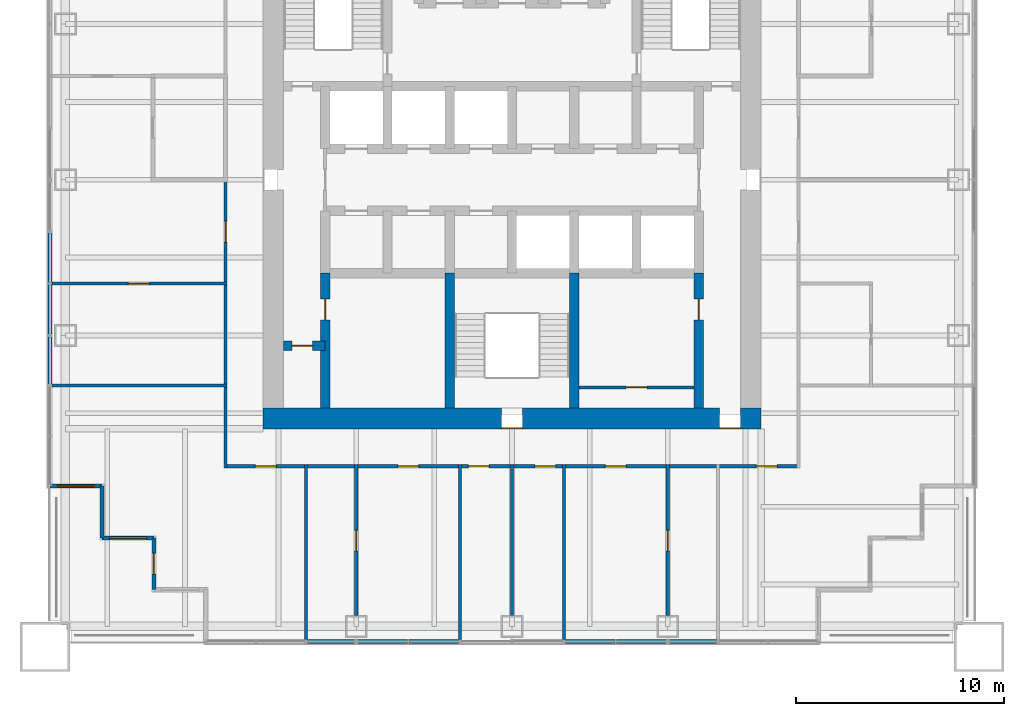
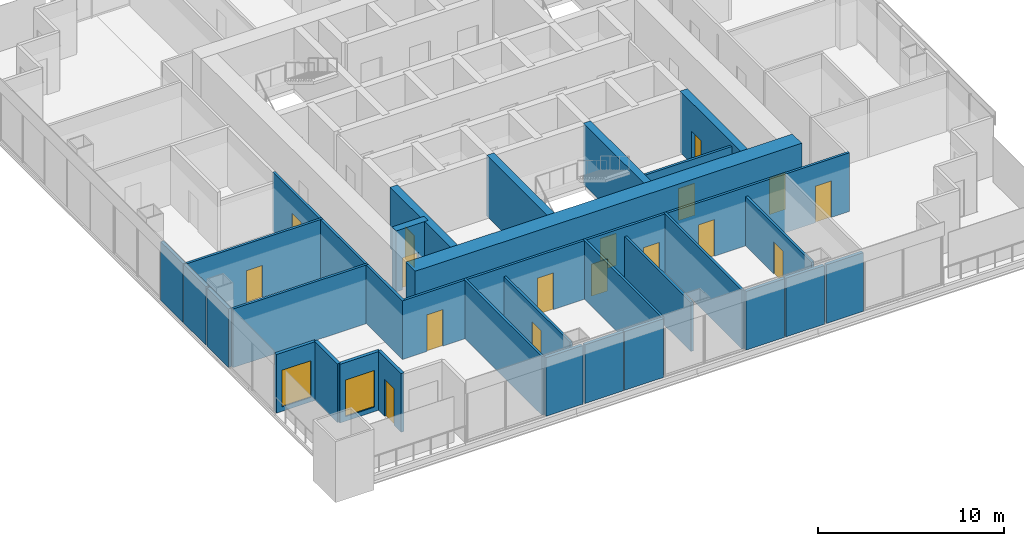
# One storey, part 8 of 13: 30 walls, 17 doors, 2 windows, 19 openings.
"""IFC4 building model written with IfcOpenShell, lengths in metres."""

from ifc_helpers import new_model, si_unit, direction, frame, frame_2d, origin, place, context, subcontext, project, spatial, rectangle, extrude, material, layer, layer_set, type_object, element, fill, save


model = new_model("IFC4")

# Units and contexts
model_context = context("Model", 3, precision=1e-05, world=origin(), true_north=direction((0.0, 1.0)))
body_context = subcontext(model_context, "Body", "Model", "MODEL_VIEW")
ifc_project = project(units=[si_unit("LENGTHUNIT", "METRE"), si_unit("AREAUNIT", "SQUARE_METRE"), si_unit("VOLUMEUNIT", "CUBIC_METRE"), si_unit("PLANEANGLEUNIT", "RADIAN"), si_unit("MASSUNIT", "GRAM", prefix="KILO")], contexts=[model_context])

# Site, building, storey
site_placement = place(None, origin())
site = spatial("IfcSite", under=ifc_project, at=site_placement, CompositionType="ELEMENT")
building_placement = place(site_placement, origin())
building = spatial("IfcBuilding", under=site, at=building_placement, Name="Tarangal Relay Tower", CompositionType="ELEMENT")
storey_placement = place(building_placement, frame((0.0, 0.0, 189.89990234375)))
storey = spatial("IfcBuildingStorey", under=building, at=storey_placement, Name="L39", CompositionType="ELEMENT", Elevation=189.89990234375)

# Wall, opening, door
ifc_material_1 = material(Name="Concrete fc' 60 MPa", Category="concrete")
ifc_layer_1 = layer(ifc_material_1, 0.449951171875)
ifc_layer_set_1 = layer_set([ifc_layer_1], Name="Core inner wall 450")
wall_type_1 = type_object("IfcWallType", Name="Core inner wall 450", PredefinedType="SHEAR", material=ifc_layer_set_1)
wall_1_placement = place(storey_placement, frame((-11.0, -8.0, 0.0), z_axis=(0.0, 0.0, 1.0), x_axis=(1.0, 0.0, 0.0)))
wall_1 = element("IfcWall", 1, at=wall_1_placement, inside=storey, type_object=wall_type_1, Name="Core wall YM8 L39", PredefinedType="SHEAR", context=body_context, shape_type="SweptSolid", body=[
    extrude(rectangle(XDim=2.0, YDim=0.449951171875, at=frame_2d((1.0, 0.0))), origin(), (0.0, 0.0, 1.0), 4.0),
])
opening_1_placement = place(wall_1_placement, frame((0.39990234375, 0.0, 0.0)))
opening_1 = element("IfcOpeningElement", 2, at=opening_1_placement, cuts=wall_1, Name="Opening D1", PredefinedType="OPENING", context=body_context, shape_type="SweptSolid", body=[
    extrude(rectangle(XDim=1.0, YDim=2.10009765625, at=frame_2d((0.5, 1.050048828125))), frame((0.0, 0.23486328125, 0.0), z_axis=(0.0, -1.0, 0.0), x_axis=(1.0, 0.0, 0.0)), (0.0, 0.0, 1.0), 0.469970703125),
])
ifc_material_2 = material(Name="Hardwood door", Category="wood")
door_type_1 = type_object("IfcDoorType", Name="WC door 1000 x 2100", OperationType="SINGLE_SWING_LEFT", PredefinedType="DOOR", material=ifc_material_2)
door_1_placement = place(opening_1_placement, origin())
door_1 = element("IfcDoor", 3, at=door_1_placement, inside=storey, type_object=door_type_1, Name="Accessible WC door L39", OperationType="SINGLE_SWING_LEFT", OverallHeight=2.10009765625, OverallWidth=1.0, PredefinedType="DOOR", context=body_context, shape_type="SweptSolid", body=[
    extrude(rectangle(XDim=1.0, YDim=2.10009765625, at=frame_2d((0.5, 1.050048828125))), frame((0.0, 0.02490234375, 0.0), z_axis=(0.0, -1.0, 0.0), x_axis=(1.0, 0.0, 0.0)), (0.0, 0.0, 1.0), 0.050048828125),
])
fill(opening_1, door_1)

wall_2_placement = place(storey_placement, frame((-9.0, -11.0, 0.0), z_axis=(0.0, 0.0, 1.0), x_axis=(0.0, 1.0, 0.0)))
wall_2 = element("IfcWall", 4, at=wall_2_placement, inside=storey, type_object=wall_type_1, Name="Core wall XM9W L39", PredefinedType="SHEAR", context=body_context, shape_type="SweptSolid", body=[
    extrude(rectangle(XDim=6.5, YDim=0.449951171875, at=frame_2d((3.25, 0.0))), origin(), (0.0, 0.0, 1.0), 4.0),
])
opening_2_placement = place(wall_2_placement, frame((4.25, 0.0, 0.0)))
opening_2 = element("IfcOpeningElement", 5, at=opening_2_placement, cuts=wall_2, Name="Opening D1", PredefinedType="OPENING", context=body_context, shape_type="SweptSolid", body=[
    extrude(rectangle(XDim=1.0, YDim=2.10009765625, at=frame_2d((0.5, 1.050048828125))), frame((0.0, 0.23486328125, 0.0), z_axis=(0.0, -1.0, 0.0), x_axis=(1.0, 0.0, 0.0)), (0.0, 0.0, 1.0), 0.469970703125),
])
door_2_placement = place(opening_2_placement, origin())
door_2 = element("IfcDoor", 6, at=door_2_placement, inside=storey, type_object=door_type_1, Name="Male WC door L39", OperationType="SINGLE_SWING_LEFT", OverallHeight=2.10009765625, OverallWidth=1.0, PredefinedType="DOOR", context=body_context, shape_type="SweptSolid", body=[
    extrude(rectangle(XDim=1.0, YDim=2.10009765625, at=frame_2d((0.5, 1.050048828125))), frame((0.0, 0.02490234375, 0.0), z_axis=(0.0, -1.0, 0.0), x_axis=(1.0, 0.0, 0.0)), (0.0, 0.0, 1.0), 0.050048828125),
])
fill(opening_2, door_2)

wall_3_placement = place(storey_placement, frame((9.0, -11.0, 0.0), z_axis=(0.0, 0.0, 1.0), x_axis=(0.0, 1.0, 0.0)))
wall_3 = element("IfcWall", 7, at=wall_3_placement, inside=storey, type_object=wall_type_1, Name="Core wall X9W L39", PredefinedType="SHEAR", context=body_context, shape_type="SweptSolid", body=[
    extrude(rectangle(XDim=6.5, YDim=0.449951171875, at=frame_2d((3.25, 0.0))), origin(), (0.0, 0.0, 1.0), 4.0),
])
opening_3_placement = place(wall_3_placement, frame((4.25, 0.0, 0.0)))
opening_3 = element("IfcOpeningElement", 8, at=opening_3_placement, cuts=wall_3, Name="Opening D1", PredefinedType="OPENING", context=body_context, shape_type="SweptSolid", body=[
    extrude(rectangle(XDim=1.0, YDim=2.10009765625, at=frame_2d((0.5, 1.050048828125))), frame((0.0, 0.23486328125, 0.0), z_axis=(0.0, -1.0, 0.0), x_axis=(1.0, 0.0, 0.0)), (0.0, 0.0, 1.0), 0.469970703125),
])
door_3_placement = place(opening_3_placement, origin())
door_3 = element("IfcDoor", 9, at=door_3_placement, inside=storey, type_object=door_type_1, Name="Female WC door L39", OperationType="SINGLE_SWING_LEFT", OverallHeight=2.10009765625, OverallWidth=1.0, PredefinedType="DOOR", context=body_context, shape_type="SweptSolid", body=[
    extrude(rectangle(XDim=1.0, YDim=2.10009765625, at=frame_2d((0.5, 1.050048828125))), frame((0.0, 0.02490234375, 0.0), z_axis=(0.0, -1.0, 0.0), x_axis=(1.0, 0.0, 0.0)), (0.0, 0.0, 1.0), 0.050048828125),
])
fill(opening_3, door_3)

# Walls
for number, where, z_axis, x_axis, name in (
    (10, (-3.0, -11.0, 0.0), (0.0, 0.0, 1.0), (0.0, 1.0, 0.0), "Core wall XM3W L39"),
    (11, (3.0, -11.0, 0.0), (0.0, 0.0, 1.0), (0.0, 1.0, 0.0), "Core wall X3W L39"),
):
    element("IfcWall", number, at=place(storey_placement, frame(where, z_axis=z_axis, x_axis=x_axis)), inside=storey, type_object=wall_type_1, Name=name, PredefinedType="SHEAR", context=body_context, shape_type="SweptSolid", body=[
        extrude(rectangle(XDim=6.5, YDim=0.449951171875, at=frame_2d((3.25, 0.0))), origin(), (0.0, 0.0, 1.0), 4.0),
    ])

# Wall, openings, doors
ifc_layer_2 = layer(ifc_material_1, 1.0)
ifc_layer_set_2 = layer_set([ifc_layer_2], Name="Core wall 1000")
wall_type_2 = type_object("IfcWallType", Name="Core wall 1000", PredefinedType="SHEAR", material=ifc_layer_set_2)
wall_4_placement = place(storey_placement, frame((12.0, -11.5, 0.0), z_axis=(0.0, 0.0, 1.0), x_axis=(-1.0, 0.0, 0.0)))
wall_4 = element("IfcWall", 12, at=wall_4_placement, inside=storey, type_object=wall_type_2, Name="Core wall S L39", PredefinedType="SHEAR", context=body_context, shape_type="SweptSolid", body=[
    extrude(rectangle(XDim=24.0, YDim=1.0, at=frame_2d((12.0, 0.0))), origin(), (0.0, 0.0, 1.0), 4.0),
])
opening_4_placement = place(wall_4_placement, frame((11.5, 0.0, 0.0)))
opening_4 = element("IfcOpeningElement", 13, at=opening_4_placement, cuts=wall_4, Name="Opening FD1", PredefinedType="OPENING", context=body_context, shape_type="SweptSolid", body=[
    extrude(rectangle(XDim=1.0, YDim=2.10009765625, at=frame_2d((0.5, 1.050048828125))), frame((0.0, 0.510009765625, 0.0), z_axis=(0.0, -1.0, 0.0), x_axis=(1.0, 0.0, 0.0)), (0.0, 0.0, 1.0), 1.02001953125),
])
opening_5_placement = place(wall_4_placement, frame((1.0, 0.0, 0.0)))
opening_5 = element("IfcOpeningElement", 14, at=opening_5_placement, cuts=wall_4, Name="Opening FD3", PredefinedType="OPENING", context=body_context, shape_type="SweptSolid", body=[
    extrude(rectangle(XDim=1.0, YDim=2.39990234375, at=frame_2d((0.5, 1.199951171875))), frame((0.0, 0.510009765625, 0.0), z_axis=(0.0, -1.0, 0.0), x_axis=(1.0, 0.0, 0.0)), (0.0, 0.0, 1.0), 1.02001953125),
])
ifc_material_3 = material(Name="Steel door with hardwood frame", Category="steel")
door_type_2 = type_object("IfcDoorType", Name="Fire door 1000 x 2100", OperationType="SINGLE_SWING_LEFT", PredefinedType="DOOR", material=ifc_material_3)
door_4_placement = place(opening_4_placement, origin())
door_4 = element("IfcDoor", 15, at=door_4_placement, inside=storey, type_object=door_type_2, Name="Stair ST-C door L39", OperationType="SINGLE_SWING_LEFT", OverallHeight=2.10009765625, OverallWidth=1.0, PredefinedType="DOOR", context=body_context, shape_type="SweptSolid", body=[
    extrude(rectangle(XDim=1.0, YDim=2.10009765625, at=frame_2d((0.5, 1.050048828125))), frame((0.0, 0.48486328125, 0.0), z_axis=(0.0, -1.0, 0.0), x_axis=(1.0, 0.0, 0.0)), (0.0, 0.0, 1.0), 0.050048828125),
])
fill(opening_4, door_4)
door_type_3 = type_object("IfcDoorType", Name="Fire door 1000 x 2400 core entry", OperationType="SINGLE_SWING_RIGHT", PredefinedType="DOOR", material=ifc_material_3)
door_5_placement = place(opening_5_placement, origin())
door_5 = element("IfcDoor", 16, at=door_5_placement, inside=storey, type_object=door_type_3, Name="Core entry door south east L39", OperationType="SINGLE_SWING_RIGHT", OverallHeight=2.39990234375, OverallWidth=1.0, PredefinedType="DOOR", context=body_context, shape_type="SweptSolid", body=[
    extrude(rectangle(XDim=1.0, YDim=2.39990234375, at=frame_2d((0.5, 1.199951171875))), frame((0.0, 0.48486328125, 0.0), z_axis=(0.0, -1.0, 0.0), x_axis=(1.0, 0.0, 0.0)), (0.0, 0.0, 1.0), 0.050048828125),
])
fill(opening_5, door_5)

# Wall, opening, door
ifc_material_4 = material(Name="Black metal clad insulated wall", Category="steel")
ifc_layer_3 = layer(ifc_material_4, 0.199951171875)
ifc_layer_set_3 = layer_set([ifc_layer_3], Name="Corner wall metal clad 200")
wall_type_3 = type_object("IfcWallType", Name="Corner wall metal clad 200", PredefinedType="SOLIDWALL", material=ifc_layer_set_3)
wall_5_placement = place(storey_placement, frame((-17.25, -19.75, 0.0), z_axis=(0.0, 0.0, 1.0), x_axis=(0.0, 1.0, 0.0)))
wall_5 = element("IfcWall", 17, at=wall_5_placement, inside=storey, type_object=wall_type_3, Name="Facade wall S facade L39", PredefinedType="SOLIDWALL", context=body_context, shape_type="SweptSolid", body=[
    extrude(rectangle(XDim=2.5, YDim=0.199951171875, at=frame_2d((1.25, 0.0))), origin(), (0.0, 0.0, 1.0), 3.85009765625),
])
opening_6_placement = place(wall_5_placement, frame((0.75, 0.0, 0.0)))
opening_6 = element("IfcOpeningElement", 18, at=opening_6_placement, cuts=wall_5, Name="Opening TD1", PredefinedType="OPENING", context=body_context, shape_type="SweptSolid", body=[
    extrude(rectangle(XDim=1.0, YDim=2.39990234375, at=frame_2d((0.5, 1.199951171875))), frame((0.0, 0.10986328125, 0.0), z_axis=(0.0, -1.0, 0.0), x_axis=(1.0, 0.0, 0.0)), (0.0, 0.0, 1.0), 0.219970703125),
])
ifc_material_5 = material(Name="Aluminium glazed door", Category="aluminium")
door_type_4 = type_object("IfcDoorType", Name="Terrace door 1000 x 2400", OperationType="SINGLE_SWING_RIGHT", PredefinedType="DOOR", material=ifc_material_5)
door_6_placement = place(opening_6_placement, origin())
door_6 = element("IfcDoor", 19, at=door_6_placement, inside=storey, type_object=door_type_4, Name="Terrace door TD1 SW L39", OperationType="SINGLE_SWING_RIGHT", OverallHeight=2.39990234375, OverallWidth=1.0, PredefinedType="DOOR", context=body_context, shape_type="SweptSolid", body=[
    extrude(rectangle(XDim=1.0, YDim=2.39990234375, at=frame_2d((0.5, 1.199951171875))), frame((0.0, 0.02490234375, 0.0), z_axis=(0.0, -1.0, 0.0), x_axis=(1.0, 0.0, 0.0)), (0.0, 0.0, 1.0), 0.050048828125),
])
fill(opening_6, door_6)

# Wall, opening, window
wall_6_placement = place(storey_placement, frame((-17.25, -17.25, 0.0), z_axis=(0.0, 0.0, 1.0), x_axis=(-1.0, 0.0, 0.0)))
wall_6 = element("IfcWall", 20, at=wall_6_placement, inside=storey, type_object=wall_type_3, Name="Facade wall S facade L39", PredefinedType="SOLIDWALL", context=body_context, shape_type="SweptSolid", body=[
    extrude(rectangle(XDim=2.5, YDim=0.199951171875, at=frame_2d((1.25, 0.0))), origin(), (0.0, 0.0, 1.0), 3.85009765625),
])
opening_7_placement = place(wall_6_placement, frame((0.35009765625, 0.0, 0.300048828125)))
opening_7 = element("IfcOpeningElement", 21, at=opening_7_placement, cuts=wall_6, Name="Opening WN2", PredefinedType="OPENING", context=body_context, shape_type="SweptSolid", body=[
    extrude(rectangle(XDim=1.800048828125, YDim=2.39990234375, at=frame_2d((0.89990234375, 1.199951171875))), frame((0.0, 0.10986328125, 0.0), z_axis=(0.0, -1.0, 0.0), x_axis=(1.0, 0.0, 0.0)), (0.0, 0.0, 1.0), 0.219970703125),
])
ifc_material_6 = material(Name="Dark tinted double glazing in black aluminium frame", Category="aluminium")
window_type = type_object("IfcWindowType", Name="Corner window 1800 x 2400", PartitioningType="SINGLE_PANEL", PredefinedType="WINDOW", material=ifc_material_6)
window_1_placement = place(opening_7_placement, origin())
window_1 = element("IfcWindow", 22, at=window_1_placement, inside=storey, type_object=window_type, Name="Corner window WN2 S facade L39", OverallHeight=2.39990234375, OverallWidth=1.800048828125, PartitioningType="SINGLE_PANEL", PredefinedType="WINDOW", context=body_context, shape_type="SweptSolid", body=[
    extrude(rectangle(XDim=1.800048828125, YDim=2.39990234375, at=frame_2d((0.89990234375, 1.199951171875))), frame((0.0, 0.030029296875, 0.0), z_axis=(0.0, -1.0, 0.0), x_axis=(1.0, 0.0, 0.0)), (0.0, 0.0, 1.0), 0.06005859375),
])
fill(opening_7, window_1)

# Wall
wall_7_placement = place(storey_placement, frame((-19.75, -17.25, 0.0), z_axis=(0.0, 0.0, 1.0), x_axis=(0.0, 1.0, 0.0)))
element("IfcWall", 23, at=wall_7_placement, inside=storey, type_object=wall_type_3, Name="Facade wall S facade L39", PredefinedType="SOLIDWALL", context=body_context, shape_type="SweptSolid", body=[
    extrude(rectangle(XDim=2.5, YDim=0.199951171875, at=frame_2d((1.25, 0.0))), origin(), (0.0, 0.0, 1.0), 3.85009765625),
])

# Wall, opening, window
wall_8_placement = place(storey_placement, frame((-19.75, -14.75, 0.0), z_axis=(0.0, 0.0, 1.0), x_axis=(-1.0, 0.0, 0.0)))
wall_8 = element("IfcWall", 24, at=wall_8_placement, inside=storey, type_object=wall_type_3, Name="Facade wall S facade L39", PredefinedType="SOLIDWALL", context=body_context, shape_type="SweptSolid", body=[
    extrude(rectangle(XDim=2.5, YDim=0.199951171875, at=frame_2d((1.25, 0.0))), origin(), (0.0, 0.0, 1.0), 3.85009765625),
])
opening_8_placement = place(wall_8_placement, frame((0.35009765625, 0.0, 0.300048828125)))
opening_8 = element("IfcOpeningElement", 25, at=opening_8_placement, cuts=wall_8, Name="Opening WN2", PredefinedType="OPENING", context=body_context, shape_type="SweptSolid", body=[
    extrude(rectangle(XDim=1.800048828125, YDim=2.39990234375, at=frame_2d((0.89990234375, 1.199951171875))), frame((0.0, 0.10986328125, 0.0), z_axis=(0.0, -1.0, 0.0), x_axis=(1.0, 0.0, 0.0)), (0.0, 0.0, 1.0), 0.219970703125),
])
window_2_placement = place(opening_8_placement, origin())
window_2 = element("IfcWindow", 26, at=window_2_placement, inside=storey, type_object=window_type, Name="Corner window WN2 S facade L39", OverallHeight=2.39990234375, OverallWidth=1.800048828125, PartitioningType="SINGLE_PANEL", PredefinedType="WINDOW", context=body_context, shape_type="SweptSolid", body=[
    extrude(rectangle(XDim=1.800048828125, YDim=2.39990234375, at=frame_2d((0.89990234375, 1.199951171875))), frame((0.0, 0.030029296875, 0.0), z_axis=(0.0, -1.0, 0.0), x_axis=(1.0, 0.0, 0.0)), (0.0, 0.0, 1.0), 0.06005859375),
])
fill(opening_8, window_2)

# Walls
ifc_layer_4 = layer(ifc_material_4, 0.199951171875)
ifc_layer_set_4 = layer_set([ifc_layer_4], Name="Facade infill wall metal clad 200")
wall_type_4 = type_object("IfcWallType", Name="Facade infill wall metal clad 200", PredefinedType="SOLIDWALL", material=ifc_layer_set_4)
wall_9_placement = place(storey_placement, frame((9.851806640625, -22.25, 0.0), z_axis=(0.0, 0.0, 1.0), x_axis=(-1.0, 0.0, 0.0)))
element("IfcWall", 27, at=wall_9_placement, inside=storey, type_object=wall_type_4, Name="Facade infill wall S facade L39 1.1", PredefinedType="SOLIDWALL", context=body_context, shape_type="SweptSolid", body=[
    extrude(rectangle(XDim=2.286865234375, YDim=0.199951171875, at=frame_2d((1.1435546875, 0.0))), origin(), (0.0, 0.0, 1.0), 3.85009765625),
])
for number, where, z_axis, x_axis, name in (
    (28, (7.43505859375, -22.25, 0.0), (0.0, 0.0, 1.0), (-1.0, 0.0, 0.0), "Facade infill wall S facade L39 1.1"),
    (29, (4.967529296875, -22.25, 0.0), (0.0, 0.0, 1.0), (-1.0, 0.0, 0.0), "Facade infill wall S facade L39 2.1"),
    (30, (-2.56494140625, -22.25, 0.0), (0.0, 0.0, 1.0), (-1.0, 0.0, 0.0), "Facade infill wall S facade L39 1.1"),
    (31, (-5.032470703125, -22.25, 0.0), (0.0, 0.0, 1.0), (-1.0, 0.0, 0.0), "Facade infill wall S facade L39 2.1"),
):
    element("IfcWall", number, at=place(storey_placement, frame(where, z_axis=z_axis, x_axis=x_axis)), inside=storey, type_object=wall_type_4, Name=name, PredefinedType="SOLIDWALL", context=body_context, shape_type="SweptSolid", body=[
        extrude(rectangle(XDim=2.402587890625, YDim=0.199951171875, at=frame_2d((1.201171875, 0.0))), origin(), (0.0, 0.0, 1.0), 3.85009765625),
    ])
for number, where, z_axis, x_axis, name in (
    (32, (-7.56494140625, -22.25, 0.0), (0.0, 0.0, 1.0), (-1.0, 0.0, 0.0), "Facade infill wall S facade L39 1.1"),
    (33, (-22.25, -9.851806640625, 0.0), (0.0, 0.0, 1.0), (0.0, 1.0, 0.0), "Facade infill wall W facade L39 1.1"),
):
    element("IfcWall", number, at=place(storey_placement, frame(where, z_axis=z_axis, x_axis=x_axis)), inside=storey, type_object=wall_type_4, Name=name, PredefinedType="SOLIDWALL", context=body_context, shape_type="SweptSolid", body=[
        extrude(rectangle(XDim=2.286865234375, YDim=0.199951171875, at=frame_2d((1.1435546875, 0.0))), origin(), (0.0, 0.0, 1.0), 3.85009765625),
    ])
for number, where, z_axis, x_axis, name in (
    (34, (-22.25, -7.43505859375, 0.0), (0.0, 0.0, 1.0), (0.0, 1.0, 0.0), "Facade infill wall W facade L39 1.1"),
    (35, (-22.25, -4.967529296875, 0.0), (0.0, 0.0, 1.0), (0.0, 1.0, 0.0), "Facade infill wall W facade L39 2.1"),
):
    element("IfcWall", number, at=place(storey_placement, frame(where, z_axis=z_axis, x_axis=x_axis)), inside=storey, type_object=wall_type_4, Name=name, PredefinedType="SOLIDWALL", context=body_context, shape_type="SweptSolid", body=[
        extrude(rectangle(XDim=2.402587890625, YDim=0.199951171875, at=frame_2d((1.201171875, 0.0))), origin(), (0.0, 0.0, 1.0), 3.85009765625),
    ])

# Wall, openings, doors
ifc_material_7 = material(Name="Gypsum board on steel studs", Category="steel")
ifc_layer_5 = layer(ifc_material_7, 0.14990234375)
ifc_layer_set_5 = layer_set([ifc_layer_5], Name="Partition 150")
wall_type_5 = type_object("IfcWallType", Name="Partition 150", PredefinedType="PARTITIONING", material=ifc_layer_set_5)
wall_10_placement = place(storey_placement, frame((-13.875, -13.800048828125, 0.0), z_axis=(0.0, 0.0, 1.0), x_axis=(1.0, 0.0, 0.0)))
wall_10 = element("IfcWall", 36, at=wall_10_placement, inside=storey, type_object=wall_type_5, Name="Partition PT1 L39", PredefinedType="PARTITIONING", context=body_context, shape_type="SweptSolid", body=[
    extrude(rectangle(XDim=27.75, YDim=0.14990234375, at=frame_2d((13.875, 0.0))), origin(), (0.0, 0.0, 1.0), 3.85009765625),
])
opening_9_placement = place(wall_10_placement, frame((18.375, 0.0, 0.0)))
opening_9 = element("IfcOpeningElement", 37, at=opening_9_placement, cuts=wall_10, Name="Opening SD1", PredefinedType="OPENING", context=body_context, shape_type="SweptSolid", body=[
    extrude(rectangle(XDim=1.0, YDim=2.39990234375, at=frame_2d((0.5, 1.199951171875))), frame((0.0, 0.0849609375, 0.0), z_axis=(0.0, -1.0, 0.0), x_axis=(1.0, 0.0, 0.0)), (0.0, 0.0, 1.0), 0.169921875),
])
opening_10_placement = place(wall_10_placement, frame((14.97509765625, 0.0, 0.0)))
opening_10 = element("IfcOpeningElement", 38, at=opening_10_placement, cuts=wall_10, Name="Opening D2", PredefinedType="OPENING", context=body_context, shape_type="SweptSolid", body=[
    extrude(rectangle(XDim=1.0, YDim=2.10009765625, at=frame_2d((0.5, 1.050048828125))), frame((0.0, 0.0849609375, 0.0), z_axis=(0.0, -1.0, 0.0), x_axis=(1.0, 0.0, 0.0)), (0.0, 0.0, 1.0), 0.169921875),
])
opening_11_placement = place(wall_10_placement, frame((11.77490234375, 0.0, 0.0)))
opening_11 = element("IfcOpeningElement", 39, at=opening_11_placement, cuts=wall_10, Name="Opening D2", PredefinedType="OPENING", context=body_context, shape_type="SweptSolid", body=[
    extrude(rectangle(XDim=1.0, YDim=2.10009765625, at=frame_2d((0.5, 1.050048828125))), frame((0.0, 0.0849609375, 0.0), z_axis=(0.0, -1.0, 0.0), x_axis=(1.0, 0.0, 0.0)), (0.0, 0.0, 1.0), 0.169921875),
])
opening_12_placement = place(wall_10_placement, frame((8.375, 0.0, 0.0)))
opening_12 = element("IfcOpeningElement", 40, at=opening_12_placement, cuts=wall_10, Name="Opening SD1", PredefinedType="OPENING", context=body_context, shape_type="SweptSolid", body=[
    extrude(rectangle(XDim=1.0, YDim=2.39990234375, at=frame_2d((0.5, 1.199951171875))), frame((0.0, 0.0849609375, 0.0), z_axis=(0.0, -1.0, 0.0), x_axis=(1.0, 0.0, 0.0)), (0.0, 0.0, 1.0), 0.169921875),
])
opening_13_placement = place(wall_10_placement, frame((25.650146484375, 0.0, 0.0)))
opening_13 = element("IfcOpeningElement", 41, at=opening_13_placement, cuts=wall_10, Name="Opening SD1", PredefinedType="OPENING", context=body_context, shape_type="SweptSolid", body=[
    extrude(rectangle(XDim=1.0, YDim=2.39990234375, at=frame_2d((0.5, 1.199951171875))), frame((0.0, 0.0849609375, 0.0), z_axis=(0.0, -1.0, 0.0), x_axis=(1.0, 0.0, 0.0)), (0.0, 0.0, 1.0), 0.169921875),
])
opening_14_placement = place(wall_10_placement, frame((1.5166015625, 0.0, 0.0)))
opening_14 = element("IfcOpeningElement", 42, at=opening_14_placement, cuts=wall_10, Name="Opening SD1", PredefinedType="OPENING", context=body_context, shape_type="SweptSolid", body=[
    extrude(rectangle(XDim=1.0, YDim=2.39990234375, at=frame_2d((0.5, 1.199951171875))), frame((0.0, 0.0849609375, 0.0), z_axis=(0.0, -1.0, 0.0), x_axis=(1.0, 0.0, 0.0)), (0.0, 0.0, 1.0), 0.169921875),
])
door_type_5 = type_object("IfcDoorType", Name="Door 1000 x 2100", OperationType="SINGLE_SWING_LEFT", PredefinedType="DOOR", material=ifc_material_2)
door_7_placement = place(opening_10_placement, origin())
door_7 = element("IfcDoor", 43, at=door_7_placement, inside=storey, type_object=door_type_5, Name="Door D2 to tea pantry L39-14", OperationType="SINGLE_SWING_LEFT", OverallHeight=2.10009765625, OverallWidth=1.0, PredefinedType="DOOR", context=body_context, shape_type="SweptSolid", body=[
    extrude(rectangle(XDim=1.0, YDim=2.10009765625, at=frame_2d((0.5, 1.050048828125))), frame((0.0, 0.02490234375, 0.0), z_axis=(0.0, -1.0, 0.0), x_axis=(1.0, 0.0, 0.0)), (0.0, 0.0, 1.0), 0.050048828125),
])
fill(opening_10, door_7)
door_8_placement = place(opening_11_placement, origin())
door_8 = element("IfcDoor", 44, at=door_8_placement, inside=storey, type_object=door_type_5, Name="Door D2 to print room L39-15", OperationType="SINGLE_SWING_LEFT", OverallHeight=2.10009765625, OverallWidth=1.0, PredefinedType="DOOR", context=body_context, shape_type="SweptSolid", body=[
    extrude(rectangle(XDim=1.0, YDim=2.10009765625, at=frame_2d((0.5, 1.050048828125))), frame((0.0, 0.02490234375, 0.0), z_axis=(0.0, -1.0, 0.0), x_axis=(1.0, 0.0, 0.0)), (0.0, 0.0, 1.0), 0.050048828125),
])
fill(opening_11, door_8)
door_type_6 = type_object("IfcDoorType", Name="Suite entrance door 1000 x 2400", OperationType="SINGLE_SWING_RIGHT", PredefinedType="DOOR", material=ifc_material_3)
door_9_placement = place(opening_9_placement, origin())
door_9 = element("IfcDoor", 45, at=door_9_placement, inside=storey, type_object=door_type_6, Name="Door SD1 to open plan office L39-13", OperationType="SINGLE_SWING_RIGHT", OverallHeight=2.39990234375, OverallWidth=1.0, PredefinedType="DOOR", context=body_context, shape_type="SweptSolid", body=[
    extrude(rectangle(XDim=1.0, YDim=2.39990234375, at=frame_2d((0.5, 1.199951171875))), frame((0.0, 0.02490234375, 0.0), z_axis=(0.0, -1.0, 0.0), x_axis=(1.0, 0.0, 0.0)), (0.0, 0.0, 1.0), 0.050048828125),
])
fill(opening_9, door_9)
door_10_placement = place(opening_12_placement, origin())
door_10 = element("IfcDoor", 46, at=door_10_placement, inside=storey, type_object=door_type_6, Name="Door SD1 to open plan office L39-16", OperationType="SINGLE_SWING_RIGHT", OverallHeight=2.39990234375, OverallWidth=1.0, PredefinedType="DOOR", context=body_context, shape_type="SweptSolid", body=[
    extrude(rectangle(XDim=1.0, YDim=2.39990234375, at=frame_2d((0.5, 1.199951171875))), frame((0.0, 0.02490234375, 0.0), z_axis=(0.0, -1.0, 0.0), x_axis=(1.0, 0.0, 0.0)), (0.0, 0.0, 1.0), 0.050048828125),
])
fill(opening_12, door_10)
door_11_placement = place(opening_13_placement, origin())
door_11 = element("IfcDoor", 47, at=door_11_placement, inside=storey, type_object=door_type_6, Name="Door SD1 to open plan office L39-23", OperationType="SINGLE_SWING_RIGHT", OverallHeight=2.39990234375, OverallWidth=1.0, PredefinedType="DOOR", context=body_context, shape_type="SweptSolid", body=[
    extrude(rectangle(XDim=1.0, YDim=2.39990234375, at=frame_2d((0.5, 1.199951171875))), frame((0.0, 0.02490234375, 0.0), z_axis=(0.0, -1.0, 0.0), x_axis=(1.0, 0.0, 0.0)), (0.0, 0.0, 1.0), 0.050048828125),
])
fill(opening_13, door_11)
door_12_placement = place(opening_14_placement, origin())
door_12 = element("IfcDoor", 48, at=door_12_placement, inside=storey, type_object=door_type_6, Name="Door SD1 to open plan office L39-24", OperationType="SINGLE_SWING_RIGHT", OverallHeight=2.39990234375, OverallWidth=1.0, PredefinedType="DOOR", context=body_context, shape_type="SweptSolid", body=[
    extrude(rectangle(XDim=1.0, YDim=2.39990234375, at=frame_2d((0.5, 1.199951171875))), frame((0.0, 0.02490234375, 0.0), z_axis=(0.0, -1.0, 0.0), x_axis=(1.0, 0.0, 0.0)), (0.0, 0.0, 1.0), 0.050048828125),
])
fill(opening_14, door_12)

# Wall
wall_11_placement = place(storey_placement, frame((-22.14990234375, -9.9169921875, 0.0), z_axis=(0.0, 0.0, 1.0), x_axis=(1.0, 0.0, 0.0)))
element("IfcWall", 49, at=wall_11_placement, inside=storey, type_object=wall_type_5, Name="Partition PT1 L39", PredefinedType="PARTITIONING", context=body_context, shape_type="SweptSolid", body=[
    extrude(rectangle(XDim=8.4248046875, YDim=0.14990234375, at=frame_2d((4.21240234375, 0.0))), origin(), (0.0, 0.0, 1.0), 3.85009765625),
])

# Wall, opening, door
wall_12_placement = place(storey_placement, frame((-22.14990234375, -5.0, 0.0), z_axis=(0.0, 0.0, 1.0), x_axis=(1.0, 0.0, 0.0)))
wall_12 = element("IfcWall", 50, at=wall_12_placement, inside=storey, type_object=wall_type_5, Name="Partition PT1 L39", PredefinedType="PARTITIONING", context=body_context, shape_type="SweptSolid", body=[
    extrude(rectangle(XDim=8.4248046875, YDim=0.14990234375, at=frame_2d((4.21240234375, 0.0))), origin(), (0.0, 0.0, 1.0), 3.85009765625),
])
opening_15_placement = place(wall_12_placement, frame((3.675048828125, 0.0, 0.0)))
opening_15 = element("IfcOpeningElement", 51, at=opening_15_placement, cuts=wall_12, Name="Opening D2", PredefinedType="OPENING", context=body_context, shape_type="SweptSolid", body=[
    extrude(rectangle(XDim=1.0, YDim=2.10009765625, at=frame_2d((0.5, 1.050048828125))), frame((0.0, 0.0849609375, 0.0), z_axis=(0.0, -1.0, 0.0), x_axis=(1.0, 0.0, 0.0)), (0.0, 0.0, 1.0), 0.169921875),
])
door_13_placement = place(opening_15_placement, origin())
door_13 = element("IfcDoor", 52, at=door_13_placement, inside=storey, type_object=door_type_5, Name="Door D2 to cellular office L39-18", OperationType="SINGLE_SWING_LEFT", OverallHeight=2.10009765625, OverallWidth=1.0, PredefinedType="DOOR", context=body_context, shape_type="SweptSolid", body=[
    extrude(rectangle(XDim=1.0, YDim=2.10009765625, at=frame_2d((0.5, 1.050048828125))), frame((0.0, 0.02490234375, 0.0), z_axis=(0.0, -1.0, 0.0), x_axis=(1.0, 0.0, 0.0)), (0.0, 0.0, 1.0), 0.050048828125),
])
fill(opening_15, door_13)

wall_13_placement = place(storey_placement, frame((-13.800048828125, -13.875, 0.0), z_axis=(0.0, 0.0, 1.0), x_axis=(0.0, 1.0, 0.0)))
wall_13 = element("IfcWall", 53, at=wall_13_placement, inside=storey, type_object=wall_type_5, Name="Partition PT1 L39", PredefinedType="PARTITIONING", context=body_context, shape_type="SweptSolid", body=[
    extrude(rectangle(XDim=13.949951171875, YDim=0.14990234375, at=frame_2d((6.97509765625, 0.0))), origin(), (0.0, 0.0, 1.0), 3.85009765625),
])
opening_16_placement = place(wall_13_placement, frame((10.875, 0.0, 0.0)))
opening_16 = element("IfcOpeningElement", 54, at=opening_16_placement, cuts=wall_13, Name="Opening SD1", PredefinedType="OPENING", context=body_context, shape_type="SweptSolid", body=[
    extrude(rectangle(XDim=1.0, YDim=2.39990234375, at=frame_2d((0.5, 1.199951171875))), frame((0.0, 0.0849609375, 0.0), z_axis=(0.0, -1.0, 0.0), x_axis=(1.0, 0.0, 0.0)), (0.0, 0.0, 1.0), 0.169921875),
])
door_14_placement = place(opening_16_placement, origin())
door_14 = element("IfcDoor", 55, at=door_14_placement, inside=storey, type_object=door_type_6, Name="Door SD1 to open plan office L39-19", OperationType="SINGLE_SWING_RIGHT", OverallHeight=2.39990234375, OverallWidth=1.0, PredefinedType="DOOR", context=body_context, shape_type="SweptSolid", body=[
    extrude(rectangle(XDim=1.0, YDim=2.39990234375, at=frame_2d((0.5, 1.199951171875))), frame((0.0, 0.02490234375, 0.0), z_axis=(0.0, -1.0, 0.0), x_axis=(1.0, 0.0, 0.0)), (0.0, 0.0, 1.0), 0.050048828125),
])
fill(opening_16, door_14)

# Wall
wall_14_placement = place(storey_placement, frame((-9.9169921875, -22.14990234375, 0.0), z_axis=(0.0, 0.0, 1.0), x_axis=(0.0, 1.0, 0.0)))
element("IfcWall", 56, at=wall_14_placement, inside=storey, type_object=wall_type_5, Name="Partition PT1 L39", PredefinedType="PARTITIONING", context=body_context, shape_type="SweptSolid", body=[
    extrude(rectangle(XDim=8.4248046875, YDim=0.14990234375, at=frame_2d((4.21240234375, 0.0))), origin(), (0.0, 0.0, 1.0), 3.85009765625),
])

# Wall, opening, door
wall_15_placement = place(storey_placement, frame((-7.5, -20.989990234375, 0.0), z_axis=(0.0, 0.0, 1.0), x_axis=(0.0, 1.0, 0.0)))
wall_15 = element("IfcWall", 57, at=wall_15_placement, inside=storey, type_object=wall_type_5, Name="Partition PT1 L39", PredefinedType="PARTITIONING", context=body_context, shape_type="SweptSolid", body=[
    extrude(rectangle(XDim=7.264892578125, YDim=0.14990234375, at=frame_2d((3.63232421875, 0.0))), origin(), (0.0, 0.0, 1.0), 3.238037109375),
])
opening_17_placement = place(wall_15_placement, frame((3.094970703125, 0.0, 0.0)))
opening_17 = element("IfcOpeningElement", 58, at=opening_17_placement, cuts=wall_15, Name="Opening D2", PredefinedType="OPENING", context=body_context, shape_type="SweptSolid", body=[
    extrude(rectangle(XDim=1.0, YDim=2.10009765625, at=frame_2d((0.5, 1.050048828125))), frame((0.0, 0.0849609375, 0.0), z_axis=(0.0, -1.0, 0.0), x_axis=(1.0, 0.0, 0.0)), (0.0, 0.0, 1.0), 0.169921875),
])
door_15_placement = place(opening_17_placement, origin())
door_15 = element("IfcDoor", 59, at=door_15_placement, inside=storey, type_object=door_type_5, Name="Door D2 to cellular office L39-17", OperationType="SINGLE_SWING_LEFT", OverallHeight=2.10009765625, OverallWidth=1.0, PredefinedType="DOOR", context=body_context, shape_type="SweptSolid", body=[
    extrude(rectangle(XDim=1.0, YDim=2.10009765625, at=frame_2d((0.5, 1.050048828125))), frame((0.0, 0.02490234375, 0.0), z_axis=(0.0, -1.0, 0.0), x_axis=(1.0, 0.0, 0.0)), (0.0, 0.0, 1.0), 0.050048828125),
])
fill(opening_17, door_15)

# Walls
wall_16_placement = place(storey_placement, frame((-2.5, -22.14990234375, 0.0), z_axis=(0.0, 0.0, 1.0), x_axis=(0.0, 1.0, 0.0)))
element("IfcWall", 60, at=wall_16_placement, inside=storey, type_object=wall_type_5, Name="Partition PT1 L39", PredefinedType="PARTITIONING", context=body_context, shape_type="SweptSolid", body=[
    extrude(rectangle(XDim=8.4248046875, YDim=0.14990234375, at=frame_2d((4.21240234375, 0.0))), origin(), (0.0, 0.0, 1.0), 3.85009765625),
])
wall_17_placement = place(storey_placement, frame((0.0, -20.989990234375, 0.0), z_axis=(0.0, 0.0, 1.0), x_axis=(0.0, 1.0, 0.0)))
element("IfcWall", 61, at=wall_17_placement, inside=storey, type_object=wall_type_5, Name="Partition PT1 L39", PredefinedType="PARTITIONING", context=body_context, shape_type="SweptSolid", body=[
    extrude(rectangle(XDim=7.264892578125, YDim=0.14990234375, at=frame_2d((3.63232421875, 0.0))), origin(), (0.0, 0.0, 1.0), 3.238037109375),
])
wall_18_placement = place(storey_placement, frame((2.5, -22.14990234375, 0.0), z_axis=(0.0, 0.0, 1.0), x_axis=(0.0, 1.0, 0.0)))
element("IfcWall", 62, at=wall_18_placement, inside=storey, type_object=wall_type_5, Name="Partition PT1 L39", PredefinedType="PARTITIONING", context=body_context, shape_type="SweptSolid", body=[
    extrude(rectangle(XDim=8.4248046875, YDim=0.14990234375, at=frame_2d((4.21240234375, 0.0))), origin(), (0.0, 0.0, 1.0), 3.85009765625),
])

# Wall, opening, door
wall_19_placement = place(storey_placement, frame((7.5, -20.989990234375, 0.0), z_axis=(0.0, 0.0, 1.0), x_axis=(0.0, 1.0, 0.0)))
wall_19 = element("IfcWall", 63, at=wall_19_placement, inside=storey, type_object=wall_type_5, Name="Partition PT1 L39", PredefinedType="PARTITIONING", context=body_context, shape_type="SweptSolid", body=[
    extrude(rectangle(XDim=7.264892578125, YDim=0.14990234375, at=frame_2d((3.63232421875, 0.0))), origin(), (0.0, 0.0, 1.0), 3.238037109375),
])
opening_18_placement = place(wall_19_placement, frame((3.094970703125, 0.0, 0.0)))
opening_18 = element("IfcOpeningElement", 64, at=opening_18_placement, cuts=wall_19, Name="Opening D2", PredefinedType="OPENING", context=body_context, shape_type="SweptSolid", body=[
    extrude(rectangle(XDim=1.0, YDim=2.10009765625, at=frame_2d((0.5, 1.050048828125))), frame((0.0, 0.0849609375, 0.0), z_axis=(0.0, -1.0, 0.0), x_axis=(1.0, 0.0, 0.0)), (0.0, 0.0, 1.0), 0.169921875),
])
door_16_placement = place(opening_18_placement, origin())
door_16 = element("IfcDoor", 65, at=door_16_placement, inside=storey, type_object=door_type_5, Name="Door D2 to cellular office L39-12", OperationType="SINGLE_SWING_LEFT", OverallHeight=2.10009765625, OverallWidth=1.0, PredefinedType="DOOR", context=body_context, shape_type="SweptSolid", body=[
    extrude(rectangle(XDim=1.0, YDim=2.10009765625, at=frame_2d((0.5, 1.050048828125))), frame((0.0, 0.02490234375, 0.0), z_axis=(0.0, -1.0, 0.0), x_axis=(1.0, 0.0, 0.0)), (0.0, 0.0, 1.0), 0.050048828125),
])
fill(opening_18, door_16)

wall_20_placement = place(storey_placement, frame((3.22509765625, -10.0, 0.0), z_axis=(0.0, 0.0, 1.0), x_axis=(1.0, 0.0, 0.0)))
wall_20 = element("IfcWall", 66, at=wall_20_placement, inside=storey, type_object=wall_type_5, Name="Partition PT1 L39", PredefinedType="PARTITIONING", context=body_context, shape_type="SweptSolid", body=[
    extrude(rectangle(XDim=5.5498046875, YDim=0.14990234375, at=frame_2d((2.77490234375, 0.0))), origin(), (0.0, 0.0, 1.0), 3.75),
])
opening_19_placement = place(wall_20_placement, frame((2.27490234375, 0.0, 0.0)))
opening_19 = element("IfcOpeningElement", 67, at=opening_19_placement, cuts=wall_20, Name="Opening D1", PredefinedType="OPENING", context=body_context, shape_type="SweptSolid", body=[
    extrude(rectangle(XDim=1.0, YDim=2.10009765625, at=frame_2d((0.5, 1.050048828125))), frame((0.0, 0.0849609375, 0.0), z_axis=(0.0, -1.0, 0.0), x_axis=(1.0, 0.0, 0.0)), (0.0, 0.0, 1.0), 0.169921875),
])
door_17_placement = place(opening_19_placement, origin())
door_17 = element("IfcDoor", 68, at=door_17_placement, inside=storey, type_object=door_type_1, Name="Door D1 to baby change room L39-C10B", OperationType="SINGLE_SWING_LEFT", OverallHeight=2.10009765625, OverallWidth=1.0, PredefinedType="DOOR", context=body_context, shape_type="SweptSolid", body=[
    extrude(rectangle(XDim=1.0, YDim=2.10009765625, at=frame_2d((0.5, 1.050048828125))), frame((0.0, 0.02490234375, 0.0), z_axis=(0.0, -1.0, 0.0), x_axis=(1.0, 0.0, 0.0)), (0.0, 0.0, 1.0), 0.050048828125),
])
fill(opening_19, door_17)

save(model, "model.ifc")
